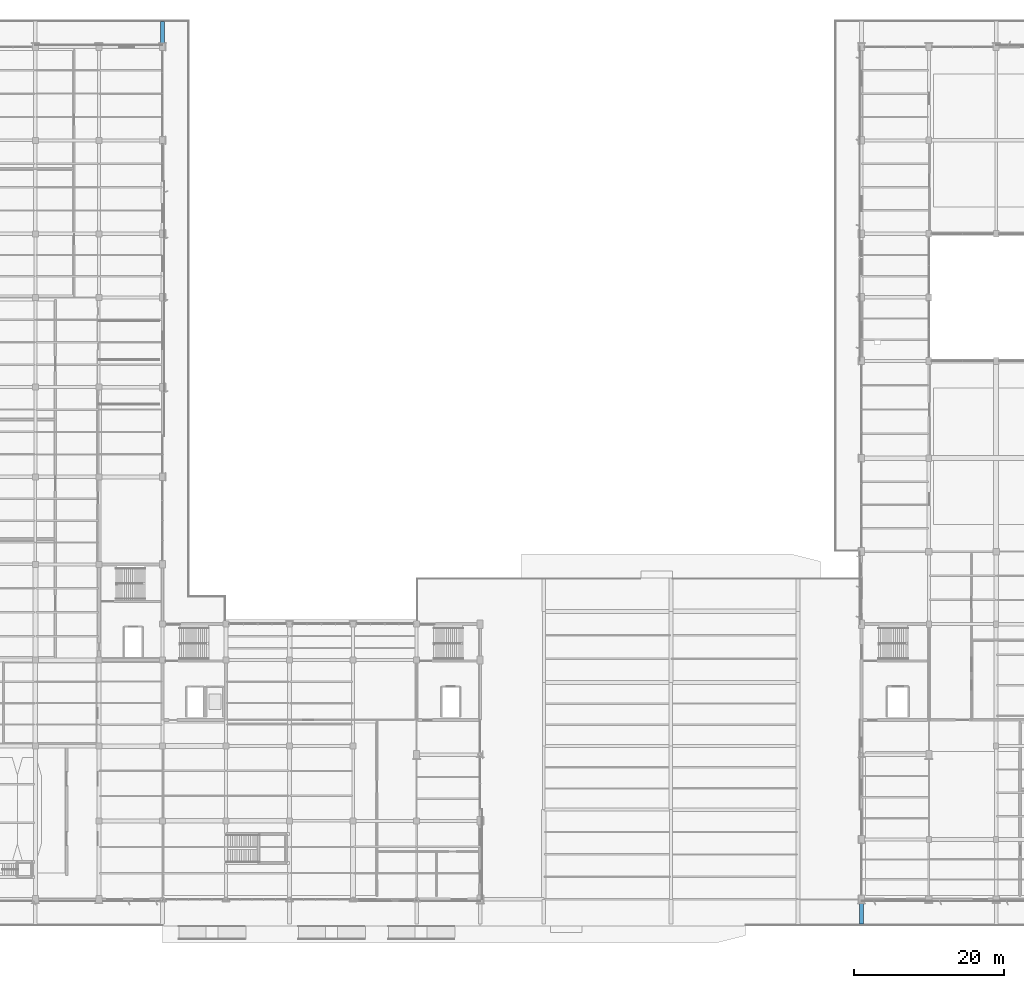
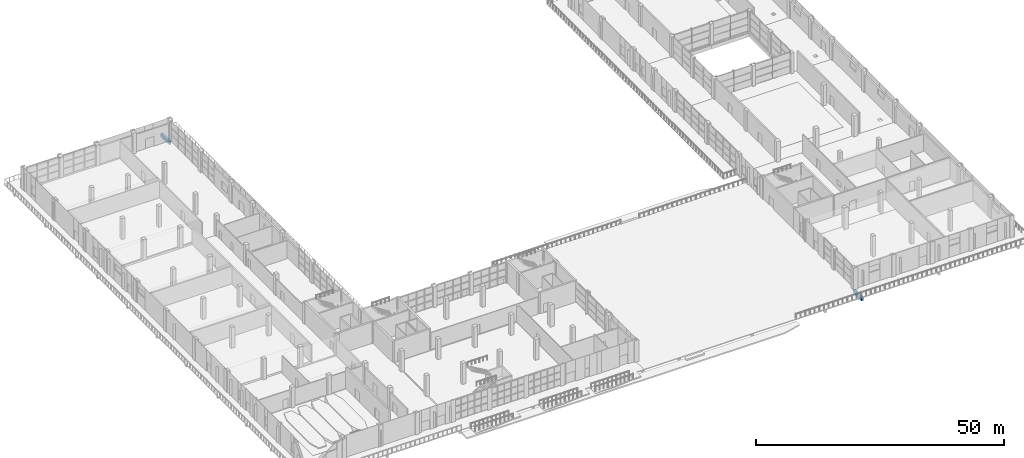
# One storey, part 32 of 90: 2 beams.
"""IFC4 building model written with IfcOpenShell, lengths in metres."""

from ifc_helpers import new_model, si_unit, direction, frame, origin, origin_2d, place, context, subcontext, project, spatial, rectangle, extrude, material, material_profile, profile_set, type_object, element, save


model = new_model("IFC4")

# Units and contexts
model_context = context("Model", 3, precision=1e-05, world=origin(), true_north=direction((0.0, 1.0)))
body_context = subcontext(model_context, "Body", "Model", "MODEL_VIEW")
ifc_project = project(units=[si_unit("LENGTHUNIT", "METRE"), si_unit("AREAUNIT", "SQUARE_METRE"), si_unit("VOLUMEUNIT", "CUBIC_METRE"), si_unit("PLANEANGLEUNIT", "RADIAN"), si_unit("MASSUNIT", "GRAM", prefix="KILO")], contexts=[model_context])

# Site, building, storey
site_placement = place(None, origin())
site = spatial("IfcSite", under=ifc_project, at=site_placement, CompositionType="ELEMENT")
building_placement = place(site_placement, origin())
building = spatial("IfcBuilding", under=site, at=building_placement, Name="Solvikara Media Centre", CompositionType="ELEMENT")
storey_placement = place(building_placement, origin())
storey = spatial("IfcBuildingStorey", under=building, at=storey_placement, Name="L00", CompositionType="ELEMENT", Elevation=0.0)

# Beams
ifc_material = material(Name="Concrete fc' 35 MPa (C35/45)", Category="concrete")
ifc_material_profile = material_profile(ifc_material, rectangle(XDim=0.5, YDim=0.800048828125, at=origin_2d()), Name="RC 500x800")
ifc_profile_set = profile_set([ifc_material_profile], Name="Concrete fc' 35 MPa (C35/45)")
beam_type = type_object("IfcBeamType", Name="BM-07", PredefinedType="BEAM", material=ifc_profile_set)
beam_1_placement = place(storey_placement, frame((127.5, -3.330078125, -0.64990234375), z_axis=(0.0, 1.0, 0.0), x_axis=(-1.0, 0.0, 0.0)))
element("IfcBeam", 1, at=beam_1_placement, inside=storey, type_object=beam_type, Name="B-L00-PRM-031", PredefinedType="BEAM", context=body_context, shape_type="SweptSolid", body=[
    extrude(rectangle(XDim=0.5, YDim=0.800048828125, at=origin_2d()), origin(), (0.0, 0.0, 1.0), 3.330078125),
])
beam_2_placement = place(storey_placement, frame((34.0, 114.0, -0.64990234375), z_axis=(0.0, 1.0, 0.0), x_axis=(-1.0, 0.0, 0.0)))
element("IfcBeam", 2, at=beam_2_placement, inside=storey, type_object=beam_type, Name="B-L00-PRM-036", PredefinedType="BEAM", context=body_context, shape_type="SweptSolid", body=[
    extrude(rectangle(XDim=0.5, YDim=0.800048828125, at=origin_2d()), origin(), (0.0, 0.0, 1.0), 3.3798828125),
])

save(model, "model.ifc")
